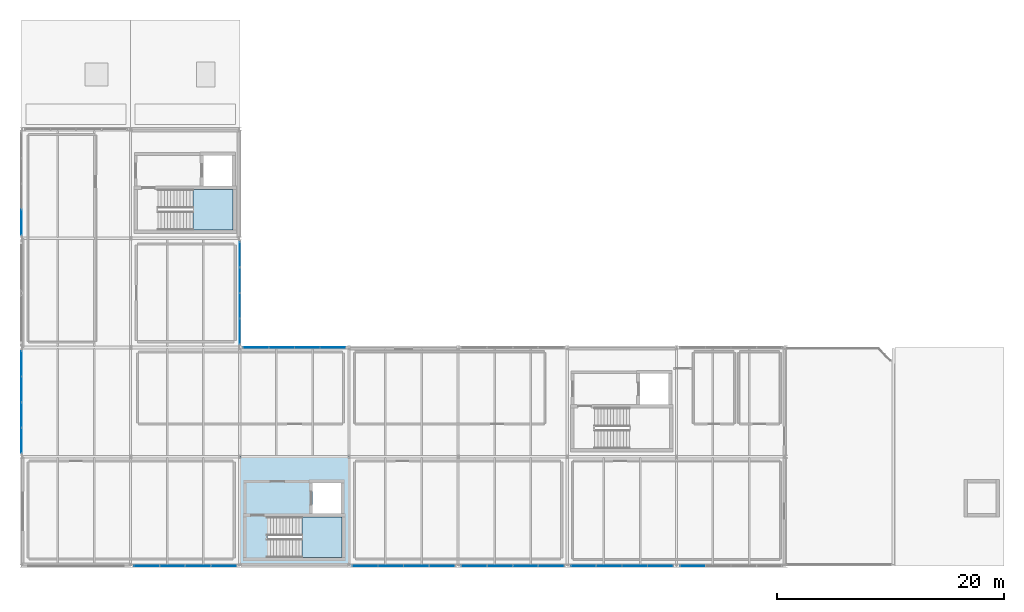
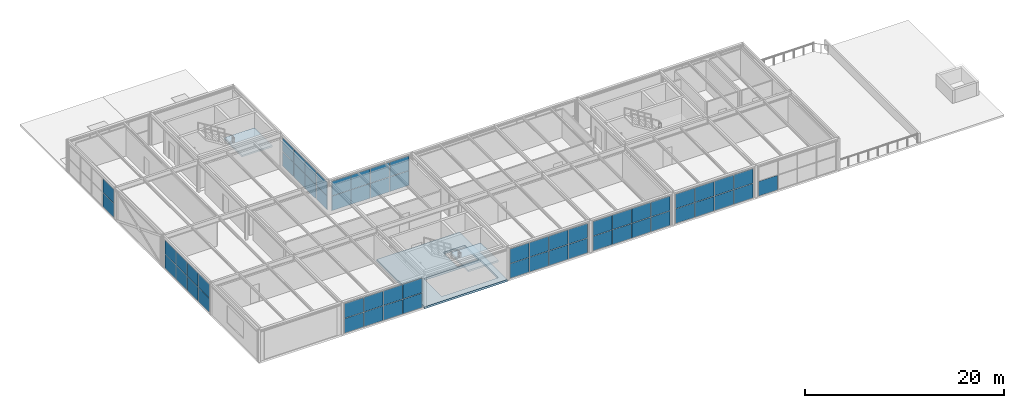
# One storey, part 32 of 39: 59 plates, 3 slabs, 11 elements without a shape of their own.
"""IFC4 building model written with IfcOpenShell, lengths in metres."""

import ifcopenshell
import ifcopenshell.guid

model = None  # the IFC model being written
_history = None  # IfcOwnerHistory: only IFC2X3 demands one
_inside = {}  # id of a spatial element -> (the spatial element, [elements in it])
_under = {}  # id of a project, library or spatial element -> (it, [spatial elements below it])
_declared = {}  # id of a project -> (the project, [libraries it declares])
_typed = {}  # id of a type object -> (the type object, [elements of that type])
_made_of = {}  # id of a material, layer set ... -> (it, [elements and type objects made of it])


def new_model(schema):
    """Start an empty IFC model of exactly this schema.

    Asked for "IFC4X3", IfcOpenShell would pick the latest addendum, in which some entities
    have other attributes; the version numbers below select the first issue.
    IFC2X3 requires an IfcOwnerHistory on every rooted entity: one is made here for all.
    """
    global model, _history
    if schema == "IFC4X3":
        model = ifcopenshell.file(schema_version=(4, 3, 0, 0))
    else:
        model = ifcopenshell.file(schema=schema)
    _inside.clear()
    _under.clear()
    _declared.clear()
    _typed.clear()
    _made_of.clear()
    _history = None
    if model.schema == "IFC2X3":
        org = make("IfcOrganization", Name="unknown")
        user = make(
            "IfcPersonAndOrganization",
            ThePerson=make("IfcPerson", FamilyName="unknown"),
            TheOrganization=org,
        )
        app = make(
            "IfcApplication",
            ApplicationDeveloper=org,
            Version="unknown",
            ApplicationFullName="unknown",
            ApplicationIdentifier="unknown",
        )
        _history = make(
            "IfcOwnerHistory",
            OwningUser=user,
            OwningApplication=app,
            ChangeAction="ADDED",
            CreationDate=0,
        )
    return model


def make(cls, **values):
    """One entity of the class cls with the attributes given. An attribute that is None is left unset."""
    return model.create_entity(
        cls, **{name: value for name, value in values.items() if value is not None}
    )


def rooted(cls, **values):
    """An entity with a GlobalId (a new one), such as an element, a storey or a relation."""
    return make(cls, GlobalId=ifcopenshell.guid.new(), OwnerHistory=_history, **values)


def si_unit(unit_type, name, prefix=None):
    """IfcSIUnit, for example si_unit("LENGTHUNIT", "METRE", prefix="MILLI")."""
    return make("IfcSIUnit", UnitType=unit_type, Prefix=prefix, Name=name)


def assignment(units):
    """IfcUnitAssignment: the units of a project."""
    return None if units is None else make("IfcUnitAssignment", Units=units)


def point(xyz):
    """IfcCartesianPoint."""
    return None if xyz is None else make("IfcCartesianPoint", Coordinates=xyz)


def direction(xyz):
    """IfcDirection."""
    return None if xyz is None else make("IfcDirection", DirectionRatios=xyz)


def frame(location, z_axis=None, x_axis=None):
    """IfcAxis2Placement3D, a coordinate frame: its origin and axes. An axis left out is left unset."""
    return make(
        "IfcAxis2Placement3D",
        Location=point(location),
        Axis=direction(z_axis),
        RefDirection=direction(x_axis),
    )


def frame_2d(location, x_axis=None):
    """IfcAxis2Placement2D, a coordinate frame in the plane: its origin and x axis."""
    return make(
        "IfcAxis2Placement2D", Location=point(location), RefDirection=direction(x_axis)
    )


def origin():
    """The frame at (0, 0, 0) with its axes left unset."""
    return frame((0.0, 0.0, 0.0))


def origin_2d():
    """The frame at (0, 0) in the plane with its x axis left unset."""
    return frame_2d((0.0, 0.0))


def place(relative_to, where):
    """IfcLocalPlacement: puts the frame where relative to a parent placement (None: the world)."""
    return make(
        "IfcLocalPlacement", PlacementRelTo=relative_to, RelativePlacement=where
    )


def context(
    kind, dimensions, precision=None, world=None, true_north=None, identifier=None
):
    """IfcGeometricRepresentationContext, for example the 3D "Model" context."""
    return make(
        "IfcGeometricRepresentationContext",
        ContextIdentifier=identifier,
        ContextType=kind,
        CoordinateSpaceDimension=dimensions,
        Precision=precision,
        WorldCoordinateSystem=world,
        TrueNorth=true_north,
    )


def subcontext(parent, identifier, kind, view, scale=None):
    """IfcGeometricRepresentationSubContext, for example "Body" below "Model"."""
    return make(
        "IfcGeometricRepresentationSubContext",
        ContextIdentifier=identifier,
        ContextType=kind,
        ParentContext=parent,
        TargetScale=scale,
        TargetView=view,
    )


def project(units=None, contexts=None):
    """IfcProject with its units and contexts."""
    return rooted(
        "IfcProject",
        Name="project",
        RepresentationContexts=contexts,
        UnitsInContext=assignment(units),
    )


def spatial(cls, under=None, at=None, **own):
    """A site, building, storey or space (cls), placed at a placement, below another one or the project."""
    s = rooted(cls, ObjectPlacement=at, **own)
    if under is not None:
        _under.setdefault(under.id(), (under, []))[1].append(s)
    return s


def polyline(points):
    """IfcPolyline through the points."""
    return make("IfcPolyline", Points=[point(p) for p in points])


def profile(cls, at=None, kind="AREA", **sizes):
    """A parametric profile (cls). Its sizes go by their IFC names, for example OverallWidth=200.0."""
    return make(cls, ProfileType=kind, Position=at, **sizes)


def rectangle(**sizes):
    """IfcRectangleProfileDef."""
    return profile("IfcRectangleProfileDef", **sizes)


def outline(outer, holes=None, kind="AREA"):
    """IfcArbitraryClosedProfileDef: a profile drawn as a closed curve; with holes, ...WithVoids."""
    if holes is None:
        return make("IfcArbitraryClosedProfileDef", ProfileType=kind, OuterCurve=outer)
    return make(
        "IfcArbitraryProfileDefWithVoids",
        ProfileType=kind,
        OuterCurve=outer,
        InnerCurves=holes,
    )


def extrude(swept, where, along, depth):
    """IfcExtrudedAreaSolid: the profile swept, set in the frame where, extruded along a direction by depth."""
    return make(
        "IfcExtrudedAreaSolid",
        SweptArea=swept,
        Position=where,
        ExtrudedDirection=direction(along),
        Depth=depth,
    )


def shape(context_of_items, identifier, shape_type, items):
    """IfcShapeRepresentation: the items that make up one representation, for example the "Body"."""
    return make(
        "IfcShapeRepresentation",
        ContextOfItems=context_of_items,
        RepresentationIdentifier=identifier,
        RepresentationType=shape_type,
        Items=items,
    )


def material(Name=None, Category=None):
    """IfcMaterial."""
    return make("IfcMaterial", Name=Name, Category=Category)


def layer(
    of_material, thickness, ventilated=None, Name=None, Category=None, Priority=None
):
    """IfcMaterialLayer: one layer of a wall or slab, of a material (None: an air gap)."""
    return make(
        "IfcMaterialLayer",
        Material=of_material,
        LayerThickness=thickness,
        IsVentilated=ventilated,
        Name=Name,
        Category=Category,
        Priority=Priority,
    )


def layer_set(layers, Name=None):
    """IfcMaterialLayerSet."""
    return make("IfcMaterialLayerSet", MaterialLayers=layers, LayerSetName=Name)


def made_of(thing, what):
    """Note that an element or type object is made of a material, layer set ...; save() writes the relation."""
    if what is not None:
        _made_of.setdefault(what.id(), (what, []))[1].append(thing)
    return thing


def type_object(cls, material=None, **own):
    """A type object (cls), such as IfcWallType, which elements share."""
    return made_of(rooted(cls, **own), material)


def element(
    cls,
    number,
    at=None,
    inside=None,
    cuts=None,
    type_object=None,
    material=None,
    context=None,
    identifier="Body",
    shape_type=None,
    held_by="IfcProductDefinitionShape",
    body=None,
    shapes=None,
    **own,
):
    """One element of the class cls, such as IfcWall. Its Tag is "e" and its number.

    at: its placement. inside: the storey or other place that contains it. cuts: it is an
    opening in that element (IfcRelVoidsElement). A single representation is given by context,
    identifier, shape_type and body (its items); several are given by shapes. held_by: the class
    of the entity that holds the representations. save() writes the other relations.
    """
    e = rooted(cls, Tag="e%d" % number, ObjectPlacement=at, **own)
    if body is not None:
        shapes = [shape(context, identifier, shape_type, body)]
    if shapes is not None:
        e.Representation = make(held_by, Representations=shapes)
    if inside is not None:
        _inside.setdefault(inside.id(), (inside, []))[1].append(e)
    if cuts is not None:
        rooted(
            "IfcRelVoidsElement", RelatingBuildingElement=cuts, RelatedOpeningElement=e
        )
    if type_object is not None:
        _typed.setdefault(type_object.id(), (type_object, []))[1].append(e)
    return made_of(e, material)


def aggregate(whole, parts):
    """IfcRelAggregates: a whole, such as a stair, and the parts it consists of."""
    return rooted("IfcRelAggregates", RelatingObject=whole, RelatedObjects=parts)


def save(model, path):
    """Write the relations noted so far, then the file.

    IfcRelAggregates (storeys below a building ...), IfcRelContainedInSpatialStructure (elements
    in a storey), IfcRelDefinesByType, IfcRelAssociatesMaterial and IfcRelDeclares: one each for
    every whole, place, type object, material and project.
    """
    for whole, parts in _under.values():
        aggregate(whole, parts)
    for where, things in _inside.values():
        rooted(
            "IfcRelContainedInSpatialStructure",
            RelatedElements=things,
            RelatingStructure=where,
        )
    for kind, things in _typed.values():
        rooted("IfcRelDefinesByType", RelatedObjects=things, RelatingType=kind)
    for what, things in _made_of.values():
        rooted("IfcRelAssociatesMaterial", RelatedObjects=things, RelatingMaterial=what)
    for by, libraries in _declared.values():
        rooted("IfcRelDeclares", RelatingContext=by, RelatedDefinitions=libraries)
    model.write(path)


model = new_model("IFC4")

# Units and contexts
model_context = context("Model", 3, precision=1e-05, world=origin(), true_north=direction((0.0, 1.0)))
body_context = subcontext(model_context, "Body", "Model", "MODEL_VIEW")
ifc_project = project(units=[si_unit("LENGTHUNIT", "METRE"), si_unit("AREAUNIT", "SQUARE_METRE"), si_unit("VOLUMEUNIT", "CUBIC_METRE"), si_unit("PLANEANGLEUNIT", "RADIAN"), si_unit("MASSUNIT", "GRAM", prefix="KILO")], contexts=[model_context])

# Site, building, storey
site_placement = place(None, origin())
site = spatial("IfcSite", under=ifc_project, at=site_placement, CompositionType="ELEMENT")
building_placement = place(site_placement, origin())
building = spatial("IfcBuilding", under=site, at=building_placement, Name="Coralgate Yard Interchange", CompositionType="ELEMENT")
storey_placement = place(building_placement, frame((0.0, 0.0, 18.89990234375)))
storey = spatial("IfcBuildingStorey", under=building, at=storey_placement, Name="L04", CompositionType="ELEMENT", Elevation=18.89990234375)

# Curtain wall, plates
ifc_material_1 = material(Name="Anodised coastal aluminium and solar-control low-E glass", Category="aluminium")
curtain_wall_type = type_object("IfcCurtainWallType", Name="CW-CW-L04-A", PredefinedType="NOTDEFINED", material=ifc_material_1)
curtain_wall_1_placement = place(storey_placement, origin())
curtain_wall_1 = element("IfcCurtainWall", 1, at=curtain_wall_1_placement, inside=storey, type_object=curtain_wall_type, Name="L04 unitised curtain wall CW-L04-W-00-01", PredefinedType="NOTDEFINED")
ifc_material_2 = material(Name="Solar-control double-glazed low-E glass unit", Category="glass")
ifc_layer_1 = layer(ifc_material_2, 0.028076171875)
ifc_layer_set_1 = layer_set([ifc_layer_1], Name="Solar-control double-glazed low-E glass unit")
plate_type = type_object("IfcPlateType", Name="PLT-CP-28", PredefinedType="CURTAIN_PANEL", material=ifc_layer_set_1)
plate_1_placement = place(storey_placement, frame((0.0, 11.02490234375, 0.02490234375), z_axis=(0.0, 0.0, 1.0), x_axis=(0.0, 1.0, 0.0)))
plate_1 = element("IfcPlate", 2, at=plate_1_placement, type_object=plate_type, Name="CW-L04-W-00-01 solar-control glazing panel 1-1", PredefinedType="CURTAIN_PANEL", context=body_context, shape_type="SweptSolid", body=[
    extrude(rectangle(XDim=2.199951171875, YDim=0.028076171875, at=origin_2d()), origin(), (0.0, 0.0, 1.0), 1.696533203125),
])
plate_2_placement = place(storey_placement, frame((0.0, 11.02490234375, 1.771484375), z_axis=(0.0, 0.0, 1.0), x_axis=(0.0, 1.0, 0.0)))
plate_2 = element("IfcPlate", 3, at=plate_2_placement, type_object=plate_type, Name="CW-L04-W-00-01 solar-control glazing panel 1-2", PredefinedType="CURTAIN_PANEL", context=body_context, shape_type="SweptSolid", body=[
    extrude(rectangle(XDim=2.199951171875, YDim=0.028076171875, at=origin_2d()), origin(), (0.0, 0.0, 1.0), 1.696533203125),
])
plate_3_placement = place(storey_placement, frame((0.0, 13.27490234375, 0.02490234375), z_axis=(0.0, 0.0, 1.0), x_axis=(0.0, 1.0, 0.0)))
plate_3 = element("IfcPlate", 4, at=plate_3_placement, type_object=plate_type, Name="CW-L04-W-00-01 solar-control glazing panel 2-1", PredefinedType="CURTAIN_PANEL", context=body_context, shape_type="SweptSolid", body=[
    extrude(rectangle(XDim=2.199951171875, YDim=0.028076171875, at=origin_2d()), origin(), (0.0, 0.0, 1.0), 1.696533203125),
])
plate_4_placement = place(storey_placement, frame((0.0, 13.27490234375, 1.771484375), z_axis=(0.0, 0.0, 1.0), x_axis=(0.0, 1.0, 0.0)))
plate_4 = element("IfcPlate", 5, at=plate_4_placement, type_object=plate_type, Name="CW-L04-W-00-01 solar-control glazing panel 2-2", PredefinedType="CURTAIN_PANEL", context=body_context, shape_type="SweptSolid", body=[
    extrude(rectangle(XDim=2.199951171875, YDim=0.028076171875, at=origin_2d()), origin(), (0.0, 0.0, 1.0), 1.696533203125),
])
plate_5_placement = place(storey_placement, frame((0.0, 15.52490234375, 0.02490234375), z_axis=(0.0, 0.0, 1.0), x_axis=(0.0, 1.0, 0.0)))
plate_5 = element("IfcPlate", 6, at=plate_5_placement, type_object=plate_type, Name="CW-L04-W-00-01 solar-control glazing panel 3-1", PredefinedType="CURTAIN_PANEL", context=body_context, shape_type="SweptSolid", body=[
    extrude(rectangle(XDim=2.199951171875, YDim=0.028076171875, at=origin_2d()), origin(), (0.0, 0.0, 1.0), 1.696533203125),
])
plate_6_placement = place(storey_placement, frame((0.0, 15.52490234375, 1.771484375), z_axis=(0.0, 0.0, 1.0), x_axis=(0.0, 1.0, 0.0)))
plate_6 = element("IfcPlate", 7, at=plate_6_placement, type_object=plate_type, Name="CW-L04-W-00-01 solar-control glazing panel 3-2", PredefinedType="CURTAIN_PANEL", context=body_context, shape_type="SweptSolid", body=[
    extrude(rectangle(XDim=2.199951171875, YDim=0.028076171875, at=origin_2d()), origin(), (0.0, 0.0, 1.0), 1.696533203125),
])
plate_7_placement = place(storey_placement, frame((0.0, 17.77490234375, 0.02490234375), z_axis=(0.0, 0.0, 1.0), x_axis=(0.0, 1.0, 0.0)))
plate_7 = element("IfcPlate", 8, at=plate_7_placement, type_object=plate_type, Name="CW-L04-W-00-01 solar-control glazing panel 4-1", PredefinedType="CURTAIN_PANEL", context=body_context, shape_type="SweptSolid", body=[
    extrude(rectangle(XDim=2.199951171875, YDim=0.028076171875, at=origin_2d()), origin(), (0.0, 0.0, 1.0), 1.696533203125),
])
plate_8_placement = place(storey_placement, frame((0.0, 17.77490234375, 1.771484375), z_axis=(0.0, 0.0, 1.0), x_axis=(0.0, 1.0, 0.0)))
plate_8 = element("IfcPlate", 9, at=plate_8_placement, type_object=plate_type, Name="CW-L04-W-00-01 solar-control glazing panel 4-2", PredefinedType="CURTAIN_PANEL", context=body_context, shape_type="SweptSolid", body=[
    extrude(rectangle(XDim=2.199951171875, YDim=0.028076171875, at=origin_2d()), origin(), (0.0, 0.0, 1.0), 1.696533203125),
])
aggregate(curtain_wall_1, [plate_1, plate_2, plate_3, plate_4, plate_5, plate_6, plate_7, plate_8])

curtain_wall_2_placement = place(storey_placement, origin())
curtain_wall_2 = element("IfcCurtainWall", 10, at=curtain_wall_2_placement, inside=storey, type_object=curtain_wall_type, Name="L04 unitised curtain wall CW-L04-W-00-03", PredefinedType="NOTDEFINED")
plate_9_placement = place(storey_placement, frame((0.0, 30.22509765625, 0.02490234375), z_axis=(0.0, 0.0, 1.0), x_axis=(0.0, 1.0, 0.0)))
plate_9 = element("IfcPlate", 11, at=plate_9_placement, type_object=plate_type, Name="CW-L04-W-00-03 solar-control glazing panel 1-1", PredefinedType="CURTAIN_PANEL", context=body_context, shape_type="SweptSolid", body=[
    extrude(rectangle(XDim=2.199951171875, YDim=0.028076171875, at=origin_2d()), origin(), (0.0, 0.0, 1.0), 1.696533203125),
])
plate_10_placement = place(storey_placement, frame((0.0, 30.22509765625, 1.771484375), z_axis=(0.0, 0.0, 1.0), x_axis=(0.0, 1.0, 0.0)))
plate_10 = element("IfcPlate", 12, at=plate_10_placement, type_object=plate_type, Name="CW-L04-W-00-03 solar-control glazing panel 1-2", PredefinedType="CURTAIN_PANEL", context=body_context, shape_type="SweptSolid", body=[
    extrude(rectangle(XDim=2.199951171875, YDim=0.028076171875, at=origin_2d()), origin(), (0.0, 0.0, 1.0), 1.696533203125),
])
aggregate(curtain_wall_2, [plate_9, plate_10])

curtain_wall_3_placement = place(storey_placement, origin())
curtain_wall_3 = element("IfcCurtainWall", 13, at=curtain_wall_3_placement, inside=storey, type_object=curtain_wall_type, Name="L04 unitised curtain wall CW-L04-S-01-00", PredefinedType="NOTDEFINED")
plate_11_placement = place(storey_placement, frame((17.77490234375, 0.0, 0.02490234375), z_axis=(0.0, 0.0, 1.0), x_axis=(-1.0, 0.0, 0.0)))
plate_11 = element("IfcPlate", 14, at=plate_11_placement, type_object=plate_type, Name="CW-L04-S-01-00 solar-control glazing panel 1-1", PredefinedType="CURTAIN_PANEL", context=body_context, shape_type="SweptSolid", body=[
    extrude(rectangle(XDim=2.199951171875, YDim=0.028076171875, at=origin_2d()), origin(), (0.0, 0.0, 1.0), 1.780029296875),
])
plate_12_placement = place(storey_placement, frame((17.77490234375, 0.0, 1.85498046875), z_axis=(0.0, 0.0, 1.0), x_axis=(-1.0, 0.0, 0.0)))
plate_12 = element("IfcPlate", 15, at=plate_12_placement, type_object=plate_type, Name="CW-L04-S-01-00 solar-control glazing panel 1-2", PredefinedType="CURTAIN_PANEL", context=body_context, shape_type="SweptSolid", body=[
    extrude(rectangle(XDim=2.199951171875, YDim=0.028076171875, at=origin_2d()), origin(), (0.0, 0.0, 1.0), 1.780029296875),
])
plate_13_placement = place(storey_placement, frame((15.52490234375, 0.0, 0.02490234375), z_axis=(0.0, 0.0, 1.0), x_axis=(-1.0, 0.0, 0.0)))
plate_13 = element("IfcPlate", 16, at=plate_13_placement, type_object=plate_type, Name="CW-L04-S-01-00 solar-control glazing panel 2-1", PredefinedType="CURTAIN_PANEL", context=body_context, shape_type="SweptSolid", body=[
    extrude(rectangle(XDim=2.199951171875, YDim=0.028076171875, at=origin_2d()), origin(), (0.0, 0.0, 1.0), 1.780029296875),
])
plate_14_placement = place(storey_placement, frame((15.52490234375, 0.0, 1.85498046875), z_axis=(0.0, 0.0, 1.0), x_axis=(-1.0, 0.0, 0.0)))
plate_14 = element("IfcPlate", 17, at=plate_14_placement, type_object=plate_type, Name="CW-L04-S-01-00 solar-control glazing panel 2-2", PredefinedType="CURTAIN_PANEL", context=body_context, shape_type="SweptSolid", body=[
    extrude(rectangle(XDim=2.199951171875, YDim=0.028076171875, at=origin_2d()), origin(), (0.0, 0.0, 1.0), 1.780029296875),
])
plate_15_placement = place(storey_placement, frame((13.27490234375, 0.0, 0.02490234375), z_axis=(0.0, 0.0, 1.0), x_axis=(-1.0, 0.0, 0.0)))
plate_15 = element("IfcPlate", 18, at=plate_15_placement, type_object=plate_type, Name="CW-L04-S-01-00 solar-control glazing panel 3-1", PredefinedType="CURTAIN_PANEL", context=body_context, shape_type="SweptSolid", body=[
    extrude(rectangle(XDim=2.199951171875, YDim=0.028076171875, at=origin_2d()), origin(), (0.0, 0.0, 1.0), 1.780029296875),
])
plate_16_placement = place(storey_placement, frame((13.27490234375, 0.0, 1.85498046875), z_axis=(0.0, 0.0, 1.0), x_axis=(-1.0, 0.0, 0.0)))
plate_16 = element("IfcPlate", 19, at=plate_16_placement, type_object=plate_type, Name="CW-L04-S-01-00 solar-control glazing panel 3-2", PredefinedType="CURTAIN_PANEL", context=body_context, shape_type="SweptSolid", body=[
    extrude(rectangle(XDim=2.199951171875, YDim=0.028076171875, at=origin_2d()), origin(), (0.0, 0.0, 1.0), 1.780029296875),
])
plate_17_placement = place(storey_placement, frame((11.02490234375, 0.0, 0.02490234375), z_axis=(0.0, 0.0, 1.0), x_axis=(-1.0, 0.0, 0.0)))
plate_17 = element("IfcPlate", 20, at=plate_17_placement, type_object=plate_type, Name="CW-L04-S-01-00 solar-control glazing panel 4-1", PredefinedType="CURTAIN_PANEL", context=body_context, shape_type="SweptSolid", body=[
    extrude(rectangle(XDim=2.199951171875, YDim=0.028076171875, at=origin_2d()), origin(), (0.0, 0.0, 1.0), 1.780029296875),
])
plate_18_placement = place(storey_placement, frame((11.02490234375, 0.0, 1.85498046875), z_axis=(0.0, 0.0, 1.0), x_axis=(-1.0, 0.0, 0.0)))
plate_18 = element("IfcPlate", 21, at=plate_18_placement, type_object=plate_type, Name="CW-L04-S-01-00 solar-control glazing panel 4-2", PredefinedType="CURTAIN_PANEL", context=body_context, shape_type="SweptSolid", body=[
    extrude(rectangle(XDim=2.199951171875, YDim=0.028076171875, at=origin_2d()), origin(), (0.0, 0.0, 1.0), 1.780029296875),
])
aggregate(curtain_wall_3, [plate_11, plate_12, plate_13, plate_14, plate_15, plate_16, plate_17, plate_18])

curtain_wall_4_placement = place(storey_placement, origin())
curtain_wall_4 = element("IfcCurtainWall", 22, at=curtain_wall_4_placement, inside=storey, type_object=curtain_wall_type, Name="L04 unitised curtain wall CW-L04-E-01-02", PredefinedType="NOTDEFINED")
plate_19_placement = place(storey_placement, frame((19.199951171875, 27.375, 0.02490234375), z_axis=(0.0, 0.0, 1.0), x_axis=(0.0, -1.0, 0.0)))
plate_19 = element("IfcPlate", 23, at=plate_19_placement, type_object=plate_type, Name="CW-L04-E-01-02 solar-control glazing panel 1-1", PredefinedType="CURTAIN_PANEL", context=body_context, shape_type="SweptSolid", body=[
    extrude(rectangle(XDim=2.199951171875, YDim=0.028076171875, at=origin_2d()), origin(), (0.0, 0.0, 1.0), 1.696533203125),
])
plate_20_placement = place(storey_placement, frame((19.199951171875, 27.375, 1.771484375), z_axis=(0.0, 0.0, 1.0), x_axis=(0.0, -1.0, 0.0)))
plate_20 = element("IfcPlate", 24, at=plate_20_placement, type_object=plate_type, Name="CW-L04-E-01-02 solar-control glazing panel 1-2", PredefinedType="CURTAIN_PANEL", context=body_context, shape_type="SweptSolid", body=[
    extrude(rectangle(XDim=2.199951171875, YDim=0.028076171875, at=origin_2d()), origin(), (0.0, 0.0, 1.0), 1.696533203125),
])
plate_21_placement = place(storey_placement, frame((19.199951171875, 25.125, 0.02490234375), z_axis=(0.0, 0.0, 1.0), x_axis=(0.0, -1.0, 0.0)))
plate_21 = element("IfcPlate", 25, at=plate_21_placement, type_object=plate_type, Name="CW-L04-E-01-02 solar-control glazing panel 2-1", PredefinedType="CURTAIN_PANEL", context=body_context, shape_type="SweptSolid", body=[
    extrude(rectangle(XDim=2.199951171875, YDim=0.028076171875, at=origin_2d()), origin(), (0.0, 0.0, 1.0), 1.696533203125),
])
plate_22_placement = place(storey_placement, frame((19.199951171875, 25.125, 1.771484375), z_axis=(0.0, 0.0, 1.0), x_axis=(0.0, -1.0, 0.0)))
plate_22 = element("IfcPlate", 26, at=plate_22_placement, type_object=plate_type, Name="CW-L04-E-01-02 solar-control glazing panel 2-2", PredefinedType="CURTAIN_PANEL", context=body_context, shape_type="SweptSolid", body=[
    extrude(rectangle(XDim=2.199951171875, YDim=0.028076171875, at=origin_2d()), origin(), (0.0, 0.0, 1.0), 1.696533203125),
])
plate_23_placement = place(storey_placement, frame((19.199951171875, 22.875, 0.02490234375), z_axis=(0.0, 0.0, 1.0), x_axis=(0.0, -1.0, 0.0)))
plate_23 = element("IfcPlate", 27, at=plate_23_placement, type_object=plate_type, Name="CW-L04-E-01-02 solar-control glazing panel 3-1", PredefinedType="CURTAIN_PANEL", context=body_context, shape_type="SweptSolid", body=[
    extrude(rectangle(XDim=2.199951171875, YDim=0.028076171875, at=origin_2d()), origin(), (0.0, 0.0, 1.0), 1.696533203125),
])
plate_24_placement = place(storey_placement, frame((19.199951171875, 22.875, 1.771484375), z_axis=(0.0, 0.0, 1.0), x_axis=(0.0, -1.0, 0.0)))
plate_24 = element("IfcPlate", 28, at=plate_24_placement, type_object=plate_type, Name="CW-L04-E-01-02 solar-control glazing panel 3-2", PredefinedType="CURTAIN_PANEL", context=body_context, shape_type="SweptSolid", body=[
    extrude(rectangle(XDim=2.199951171875, YDim=0.028076171875, at=origin_2d()), origin(), (0.0, 0.0, 1.0), 1.696533203125),
])
plate_25_placement = place(storey_placement, frame((19.199951171875, 20.625, 0.02490234375), z_axis=(0.0, 0.0, 1.0), x_axis=(0.0, -1.0, 0.0)))
plate_25 = element("IfcPlate", 29, at=plate_25_placement, type_object=plate_type, Name="CW-L04-E-01-02 solar-control glazing panel 4-1", PredefinedType="CURTAIN_PANEL", context=body_context, shape_type="SweptSolid", body=[
    extrude(rectangle(XDim=2.199951171875, YDim=0.028076171875, at=origin_2d()), origin(), (0.0, 0.0, 1.0), 1.696533203125),
])
plate_26_placement = place(storey_placement, frame((19.199951171875, 20.625, 1.771484375), z_axis=(0.0, 0.0, 1.0), x_axis=(0.0, -1.0, 0.0)))
plate_26 = element("IfcPlate", 30, at=plate_26_placement, type_object=plate_type, Name="CW-L04-E-01-02 solar-control glazing panel 4-2", PredefinedType="CURTAIN_PANEL", context=body_context, shape_type="SweptSolid", body=[
    extrude(rectangle(XDim=2.199951171875, YDim=0.028076171875, at=origin_2d()), origin(), (0.0, 0.0, 1.0), 1.696533203125),
])
aggregate(curtain_wall_4, [plate_19, plate_20, plate_21, plate_22, plate_23, plate_24, plate_25, plate_26])

curtain_wall_5_placement = place(storey_placement, origin())
curtain_wall_5 = element("IfcCurtainWall", 31, at=curtain_wall_5_placement, inside=storey, type_object=curtain_wall_type, Name="L04 unitised curtain wall CW-L04-N-02-01", PredefinedType="NOTDEFINED")
plate_27_placement = place(storey_placement, frame((20.625, 19.199951171875, 0.02490234375), z_axis=(0.0, 0.0, 1.0), x_axis=(1.0, 0.0, 0.0)))
plate_27 = element("IfcPlate", 32, at=plate_27_placement, type_object=plate_type, Name="CW-L04-N-02-01 solar-control glazing panel 1-1", PredefinedType="CURTAIN_PANEL", context=body_context, shape_type="SweptSolid", body=[
    extrude(rectangle(XDim=2.199951171875, YDim=0.028076171875, at=origin_2d()), origin(), (0.0, 0.0, 1.0), 1.780029296875),
])
plate_28_placement = place(storey_placement, frame((20.625, 19.199951171875, 1.85498046875), z_axis=(0.0, 0.0, 1.0), x_axis=(1.0, 0.0, 0.0)))
plate_28 = element("IfcPlate", 33, at=plate_28_placement, type_object=plate_type, Name="CW-L04-N-02-01 solar-control glazing panel 1-2", PredefinedType="CURTAIN_PANEL", context=body_context, shape_type="SweptSolid", body=[
    extrude(rectangle(XDim=2.199951171875, YDim=0.028076171875, at=origin_2d()), origin(), (0.0, 0.0, 1.0), 1.780029296875),
])
plate_29_placement = place(storey_placement, frame((22.875, 19.199951171875, 0.02490234375), z_axis=(0.0, 0.0, 1.0), x_axis=(1.0, 0.0, 0.0)))
plate_29 = element("IfcPlate", 34, at=plate_29_placement, type_object=plate_type, Name="CW-L04-N-02-01 solar-control glazing panel 2-1", PredefinedType="CURTAIN_PANEL", context=body_context, shape_type="SweptSolid", body=[
    extrude(rectangle(XDim=2.199951171875, YDim=0.028076171875, at=origin_2d()), origin(), (0.0, 0.0, 1.0), 1.780029296875),
])
plate_30_placement = place(storey_placement, frame((22.875, 19.199951171875, 1.85498046875), z_axis=(0.0, 0.0, 1.0), x_axis=(1.0, 0.0, 0.0)))
plate_30 = element("IfcPlate", 35, at=plate_30_placement, type_object=plate_type, Name="CW-L04-N-02-01 solar-control glazing panel 2-2", PredefinedType="CURTAIN_PANEL", context=body_context, shape_type="SweptSolid", body=[
    extrude(rectangle(XDim=2.199951171875, YDim=0.028076171875, at=origin_2d()), origin(), (0.0, 0.0, 1.0), 1.780029296875),
])
plate_31_placement = place(storey_placement, frame((25.125, 19.199951171875, 0.02490234375), z_axis=(0.0, 0.0, 1.0), x_axis=(1.0, 0.0, 0.0)))
plate_31 = element("IfcPlate", 36, at=plate_31_placement, type_object=plate_type, Name="CW-L04-N-02-01 solar-control glazing panel 3-1", PredefinedType="CURTAIN_PANEL", context=body_context, shape_type="SweptSolid", body=[
    extrude(rectangle(XDim=2.199951171875, YDim=0.028076171875, at=origin_2d()), origin(), (0.0, 0.0, 1.0), 1.780029296875),
])
plate_32_placement = place(storey_placement, frame((25.125, 19.199951171875, 1.85498046875), z_axis=(0.0, 0.0, 1.0), x_axis=(1.0, 0.0, 0.0)))
plate_32 = element("IfcPlate", 37, at=plate_32_placement, type_object=plate_type, Name="CW-L04-N-02-01 solar-control glazing panel 3-2", PredefinedType="CURTAIN_PANEL", context=body_context, shape_type="SweptSolid", body=[
    extrude(rectangle(XDim=2.199951171875, YDim=0.028076171875, at=origin_2d()), origin(), (0.0, 0.0, 1.0), 1.780029296875),
])
plate_33_placement = place(storey_placement, frame((27.375, 19.199951171875, 0.02490234375), z_axis=(0.0, 0.0, 1.0), x_axis=(1.0, 0.0, 0.0)))
plate_33 = element("IfcPlate", 38, at=plate_33_placement, type_object=plate_type, Name="CW-L04-N-02-01 solar-control glazing panel 4-1", PredefinedType="CURTAIN_PANEL", context=body_context, shape_type="SweptSolid", body=[
    extrude(rectangle(XDim=2.199951171875, YDim=0.028076171875, at=origin_2d()), origin(), (0.0, 0.0, 1.0), 1.780029296875),
])
plate_34_placement = place(storey_placement, frame((27.375, 19.199951171875, 1.85498046875), z_axis=(0.0, 0.0, 1.0), x_axis=(1.0, 0.0, 0.0)))
plate_34 = element("IfcPlate", 39, at=plate_34_placement, type_object=plate_type, Name="CW-L04-N-02-01 solar-control glazing panel 4-2", PredefinedType="CURTAIN_PANEL", context=body_context, shape_type="SweptSolid", body=[
    extrude(rectangle(XDim=2.199951171875, YDim=0.028076171875, at=origin_2d()), origin(), (0.0, 0.0, 1.0), 1.780029296875),
])
aggregate(curtain_wall_5, [plate_27, plate_28, plate_29, plate_30, plate_31, plate_32, plate_33, plate_34])

curtain_wall_6_placement = place(storey_placement, origin())
curtain_wall_6 = element("IfcCurtainWall", 40, at=curtain_wall_6_placement, inside=storey, type_object=curtain_wall_type, Name="L04 unitised curtain wall CW-L04-S-03-00", PredefinedType="NOTDEFINED")
plate_35_placement = place(storey_placement, frame((36.97509765625, 0.0, 0.02490234375), z_axis=(0.0, 0.0, 1.0), x_axis=(-1.0, 0.0, 0.0)))
plate_35 = element("IfcPlate", 41, at=plate_35_placement, type_object=plate_type, Name="CW-L04-S-03-00 solar-control glazing panel 1-1", PredefinedType="CURTAIN_PANEL", context=body_context, shape_type="SweptSolid", body=[
    extrude(rectangle(XDim=2.199951171875, YDim=0.028076171875, at=origin_2d()), origin(), (0.0, 0.0, 1.0), 1.780029296875),
])
plate_36_placement = place(storey_placement, frame((36.97509765625, 0.0, 1.85498046875), z_axis=(0.0, 0.0, 1.0), x_axis=(-1.0, 0.0, 0.0)))
plate_36 = element("IfcPlate", 42, at=plate_36_placement, type_object=plate_type, Name="CW-L04-S-03-00 solar-control glazing panel 1-2", PredefinedType="CURTAIN_PANEL", context=body_context, shape_type="SweptSolid", body=[
    extrude(rectangle(XDim=2.199951171875, YDim=0.028076171875, at=origin_2d()), origin(), (0.0, 0.0, 1.0), 1.780029296875),
])
plate_37_placement = place(storey_placement, frame((34.72509765625, 0.0, 0.02490234375), z_axis=(0.0, 0.0, 1.0), x_axis=(-1.0, 0.0, 0.0)))
plate_37 = element("IfcPlate", 43, at=plate_37_placement, type_object=plate_type, Name="CW-L04-S-03-00 solar-control glazing panel 2-1", PredefinedType="CURTAIN_PANEL", context=body_context, shape_type="SweptSolid", body=[
    extrude(rectangle(XDim=2.199951171875, YDim=0.028076171875, at=origin_2d()), origin(), (0.0, 0.0, 1.0), 1.780029296875),
])
plate_38_placement = place(storey_placement, frame((34.72509765625, 0.0, 1.85498046875), z_axis=(0.0, 0.0, 1.0), x_axis=(-1.0, 0.0, 0.0)))
plate_38 = element("IfcPlate", 44, at=plate_38_placement, type_object=plate_type, Name="CW-L04-S-03-00 solar-control glazing panel 2-2", PredefinedType="CURTAIN_PANEL", context=body_context, shape_type="SweptSolid", body=[
    extrude(rectangle(XDim=2.199951171875, YDim=0.028076171875, at=origin_2d()), origin(), (0.0, 0.0, 1.0), 1.780029296875),
])
plate_39_placement = place(storey_placement, frame((32.47509765625, 0.0, 0.02490234375), z_axis=(0.0, 0.0, 1.0), x_axis=(-1.0, 0.0, 0.0)))
plate_39 = element("IfcPlate", 45, at=plate_39_placement, type_object=plate_type, Name="CW-L04-S-03-00 solar-control glazing panel 3-1", PredefinedType="CURTAIN_PANEL", context=body_context, shape_type="SweptSolid", body=[
    extrude(rectangle(XDim=2.199951171875, YDim=0.028076171875, at=origin_2d()), origin(), (0.0, 0.0, 1.0), 1.780029296875),
])
plate_40_placement = place(storey_placement, frame((32.47509765625, 0.0, 1.85498046875), z_axis=(0.0, 0.0, 1.0), x_axis=(-1.0, 0.0, 0.0)))
plate_40 = element("IfcPlate", 46, at=plate_40_placement, type_object=plate_type, Name="CW-L04-S-03-00 solar-control glazing panel 3-2", PredefinedType="CURTAIN_PANEL", context=body_context, shape_type="SweptSolid", body=[
    extrude(rectangle(XDim=2.199951171875, YDim=0.028076171875, at=origin_2d()), origin(), (0.0, 0.0, 1.0), 1.780029296875),
])
plate_41_placement = place(storey_placement, frame((30.22509765625, 0.0, 0.02490234375), z_axis=(0.0, 0.0, 1.0), x_axis=(-1.0, 0.0, 0.0)))
plate_41 = element("IfcPlate", 47, at=plate_41_placement, type_object=plate_type, Name="CW-L04-S-03-00 solar-control glazing panel 4-1", PredefinedType="CURTAIN_PANEL", context=body_context, shape_type="SweptSolid", body=[
    extrude(rectangle(XDim=2.199951171875, YDim=0.028076171875, at=origin_2d()), origin(), (0.0, 0.0, 1.0), 1.780029296875),
])
plate_42_placement = place(storey_placement, frame((30.22509765625, 0.0, 1.85498046875), z_axis=(0.0, 0.0, 1.0), x_axis=(-1.0, 0.0, 0.0)))
plate_42 = element("IfcPlate", 48, at=plate_42_placement, type_object=plate_type, Name="CW-L04-S-03-00 solar-control glazing panel 4-2", PredefinedType="CURTAIN_PANEL", context=body_context, shape_type="SweptSolid", body=[
    extrude(rectangle(XDim=2.199951171875, YDim=0.028076171875, at=origin_2d()), origin(), (0.0, 0.0, 1.0), 1.780029296875),
])
aggregate(curtain_wall_6, [plate_35, plate_36, plate_37, plate_38, plate_39, plate_40, plate_41, plate_42])

curtain_wall_7_placement = place(storey_placement, origin())
curtain_wall_7 = element("IfcCurtainWall", 49, at=curtain_wall_7_placement, inside=storey, type_object=curtain_wall_type, Name="L04 unitised curtain wall CW-L04-S-04-00", PredefinedType="NOTDEFINED")
plate_43_placement = place(storey_placement, frame((46.574951171875, 0.0, 0.02490234375), z_axis=(0.0, 0.0, 1.0), x_axis=(-1.0, 0.0, 0.0)))
plate_43 = element("IfcPlate", 50, at=plate_43_placement, type_object=plate_type, Name="CW-L04-S-04-00 solar-control glazing panel 1-1", PredefinedType="CURTAIN_PANEL", context=body_context, shape_type="SweptSolid", body=[
    extrude(rectangle(XDim=2.199951171875, YDim=0.028076171875, at=origin_2d()), origin(), (0.0, 0.0, 1.0), 1.780029296875),
])
plate_44_placement = place(storey_placement, frame((46.574951171875, 0.0, 1.85498046875), z_axis=(0.0, 0.0, 1.0), x_axis=(-1.0, 0.0, 0.0)))
plate_44 = element("IfcPlate", 51, at=plate_44_placement, type_object=plate_type, Name="CW-L04-S-04-00 solar-control glazing panel 1-2", PredefinedType="CURTAIN_PANEL", context=body_context, shape_type="SweptSolid", body=[
    extrude(rectangle(XDim=2.199951171875, YDim=0.028076171875, at=origin_2d()), origin(), (0.0, 0.0, 1.0), 1.780029296875),
])
plate_45_placement = place(storey_placement, frame((44.324951171875, 0.0, 0.02490234375), z_axis=(0.0, 0.0, 1.0), x_axis=(-1.0, 0.0, 0.0)))
plate_45 = element("IfcPlate", 52, at=plate_45_placement, type_object=plate_type, Name="CW-L04-S-04-00 solar-control glazing panel 2-1", PredefinedType="CURTAIN_PANEL", context=body_context, shape_type="SweptSolid", body=[
    extrude(rectangle(XDim=2.199951171875, YDim=0.028076171875, at=origin_2d()), origin(), (0.0, 0.0, 1.0), 1.780029296875),
])
plate_46_placement = place(storey_placement, frame((44.324951171875, 0.0, 1.85498046875), z_axis=(0.0, 0.0, 1.0), x_axis=(-1.0, 0.0, 0.0)))
plate_46 = element("IfcPlate", 53, at=plate_46_placement, type_object=plate_type, Name="CW-L04-S-04-00 solar-control glazing panel 2-2", PredefinedType="CURTAIN_PANEL", context=body_context, shape_type="SweptSolid", body=[
    extrude(rectangle(XDim=2.199951171875, YDim=0.028076171875, at=origin_2d()), origin(), (0.0, 0.0, 1.0), 1.780029296875),
])
plate_47_placement = place(storey_placement, frame((42.074951171875, 0.0, 0.02490234375), z_axis=(0.0, 0.0, 1.0), x_axis=(-1.0, 0.0, 0.0)))
plate_47 = element("IfcPlate", 54, at=plate_47_placement, type_object=plate_type, Name="CW-L04-S-04-00 solar-control glazing panel 3-1", PredefinedType="CURTAIN_PANEL", context=body_context, shape_type="SweptSolid", body=[
    extrude(rectangle(XDim=2.199951171875, YDim=0.028076171875, at=origin_2d()), origin(), (0.0, 0.0, 1.0), 1.780029296875),
])
plate_48_placement = place(storey_placement, frame((42.074951171875, 0.0, 1.85498046875), z_axis=(0.0, 0.0, 1.0), x_axis=(-1.0, 0.0, 0.0)))
plate_48 = element("IfcPlate", 55, at=plate_48_placement, type_object=plate_type, Name="CW-L04-S-04-00 solar-control glazing panel 3-2", PredefinedType="CURTAIN_PANEL", context=body_context, shape_type="SweptSolid", body=[
    extrude(rectangle(XDim=2.199951171875, YDim=0.028076171875, at=origin_2d()), origin(), (0.0, 0.0, 1.0), 1.780029296875),
])
plate_49_placement = place(storey_placement, frame((39.824951171875, 0.0, 0.02490234375), z_axis=(0.0, 0.0, 1.0), x_axis=(-1.0, 0.0, 0.0)))
plate_49 = element("IfcPlate", 56, at=plate_49_placement, type_object=plate_type, Name="CW-L04-S-04-00 solar-control glazing panel 4-1", PredefinedType="CURTAIN_PANEL", context=body_context, shape_type="SweptSolid", body=[
    extrude(rectangle(XDim=2.199951171875, YDim=0.028076171875, at=origin_2d()), origin(), (0.0, 0.0, 1.0), 1.780029296875),
])
plate_50_placement = place(storey_placement, frame((39.824951171875, 0.0, 1.85498046875), z_axis=(0.0, 0.0, 1.0), x_axis=(-1.0, 0.0, 0.0)))
plate_50 = element("IfcPlate", 57, at=plate_50_placement, type_object=plate_type, Name="CW-L04-S-04-00 solar-control glazing panel 4-2", PredefinedType="CURTAIN_PANEL", context=body_context, shape_type="SweptSolid", body=[
    extrude(rectangle(XDim=2.199951171875, YDim=0.028076171875, at=origin_2d()), origin(), (0.0, 0.0, 1.0), 1.780029296875),
])
aggregate(curtain_wall_7, [plate_43, plate_44, plate_45, plate_46, plate_47, plate_48, plate_49, plate_50])

curtain_wall_8_placement = place(storey_placement, origin())
curtain_wall_8 = element("IfcCurtainWall", 58, at=curtain_wall_8_placement, inside=storey, type_object=curtain_wall_type, Name="L04 unitised curtain wall CW-L04-S-05-00", PredefinedType="NOTDEFINED")
plate_51_placement = place(storey_placement, frame((56.175048828125, 0.0, 0.02490234375), z_axis=(0.0, 0.0, 1.0), x_axis=(-1.0, 0.0, 0.0)))
plate_51 = element("IfcPlate", 59, at=plate_51_placement, type_object=plate_type, Name="CW-L04-S-05-00 solar-control glazing panel 1-1", PredefinedType="CURTAIN_PANEL", context=body_context, shape_type="SweptSolid", body=[
    extrude(rectangle(XDim=2.199951171875, YDim=0.028076171875, at=origin_2d()), origin(), (0.0, 0.0, 1.0), 1.780029296875),
])
plate_52_placement = place(storey_placement, frame((56.175048828125, 0.0, 1.85498046875), z_axis=(0.0, 0.0, 1.0), x_axis=(-1.0, 0.0, 0.0)))
plate_52 = element("IfcPlate", 60, at=plate_52_placement, type_object=plate_type, Name="CW-L04-S-05-00 solar-control glazing panel 1-2", PredefinedType="CURTAIN_PANEL", context=body_context, shape_type="SweptSolid", body=[
    extrude(rectangle(XDim=2.199951171875, YDim=0.028076171875, at=origin_2d()), origin(), (0.0, 0.0, 1.0), 1.780029296875),
])
plate_53_placement = place(storey_placement, frame((53.925048828125, 0.0, 0.02490234375), z_axis=(0.0, 0.0, 1.0), x_axis=(-1.0, 0.0, 0.0)))
plate_53 = element("IfcPlate", 61, at=plate_53_placement, type_object=plate_type, Name="CW-L04-S-05-00 solar-control glazing panel 2-1", PredefinedType="CURTAIN_PANEL", context=body_context, shape_type="SweptSolid", body=[
    extrude(rectangle(XDim=2.199951171875, YDim=0.028076171875, at=origin_2d()), origin(), (0.0, 0.0, 1.0), 1.780029296875),
])
plate_54_placement = place(storey_placement, frame((53.925048828125, 0.0, 1.85498046875), z_axis=(0.0, 0.0, 1.0), x_axis=(-1.0, 0.0, 0.0)))
plate_54 = element("IfcPlate", 62, at=plate_54_placement, type_object=plate_type, Name="CW-L04-S-05-00 solar-control glazing panel 2-2", PredefinedType="CURTAIN_PANEL", context=body_context, shape_type="SweptSolid", body=[
    extrude(rectangle(XDim=2.199951171875, YDim=0.028076171875, at=origin_2d()), origin(), (0.0, 0.0, 1.0), 1.780029296875),
])
plate_55_placement = place(storey_placement, frame((51.675048828125, 0.0, 0.02490234375), z_axis=(0.0, 0.0, 1.0), x_axis=(-1.0, 0.0, 0.0)))
plate_55 = element("IfcPlate", 63, at=plate_55_placement, type_object=plate_type, Name="CW-L04-S-05-00 solar-control glazing panel 3-1", PredefinedType="CURTAIN_PANEL", context=body_context, shape_type="SweptSolid", body=[
    extrude(rectangle(XDim=2.199951171875, YDim=0.028076171875, at=origin_2d()), origin(), (0.0, 0.0, 1.0), 1.780029296875),
])
plate_56_placement = place(storey_placement, frame((51.675048828125, 0.0, 1.85498046875), z_axis=(0.0, 0.0, 1.0), x_axis=(-1.0, 0.0, 0.0)))
plate_56 = element("IfcPlate", 64, at=plate_56_placement, type_object=plate_type, Name="CW-L04-S-05-00 solar-control glazing panel 3-2", PredefinedType="CURTAIN_PANEL", context=body_context, shape_type="SweptSolid", body=[
    extrude(rectangle(XDim=2.199951171875, YDim=0.028076171875, at=origin_2d()), origin(), (0.0, 0.0, 1.0), 1.780029296875),
])
plate_57_placement = place(storey_placement, frame((49.425048828125, 0.0, 0.02490234375), z_axis=(0.0, 0.0, 1.0), x_axis=(-1.0, 0.0, 0.0)))
plate_57 = element("IfcPlate", 65, at=plate_57_placement, type_object=plate_type, Name="CW-L04-S-05-00 solar-control glazing panel 4-1", PredefinedType="CURTAIN_PANEL", context=body_context, shape_type="SweptSolid", body=[
    extrude(rectangle(XDim=2.199951171875, YDim=0.028076171875, at=origin_2d()), origin(), (0.0, 0.0, 1.0), 1.780029296875),
])
plate_58_placement = place(storey_placement, frame((49.425048828125, 0.0, 1.85498046875), z_axis=(0.0, 0.0, 1.0), x_axis=(-1.0, 0.0, 0.0)))
plate_58 = element("IfcPlate", 66, at=plate_58_placement, type_object=plate_type, Name="CW-L04-S-05-00 solar-control glazing panel 4-2", PredefinedType="CURTAIN_PANEL", context=body_context, shape_type="SweptSolid", body=[
    extrude(rectangle(XDim=2.199951171875, YDim=0.028076171875, at=origin_2d()), origin(), (0.0, 0.0, 1.0), 1.780029296875),
])
aggregate(curtain_wall_8, [plate_51, plate_52, plate_53, plate_54, plate_55, plate_56, plate_57, plate_58])

# Curtain wall, plate
curtain_wall_9_placement = place(storey_placement, origin())
curtain_wall_9 = element("IfcCurtainWall", 67, at=curtain_wall_9_placement, inside=storey, type_object=curtain_wall_type, Name="L04 unitised curtain wall CW-L04-S-06-00", PredefinedType="NOTDEFINED")
plate_59_placement = place(storey_placement, frame((59.02490234375, 0.0, 0.02490234375), z_axis=(0.0, 0.0, 1.0), x_axis=(-1.0, 0.0, 0.0)))
plate_59 = element("IfcPlate", 68, at=plate_59_placement, type_object=plate_type, Name="CW-L04-S-06-00 solar-control glazing panel 4-1", PredefinedType="CURTAIN_PANEL", context=body_context, shape_type="SweptSolid", body=[
    extrude(rectangle(XDim=2.199951171875, YDim=0.028076171875, at=origin_2d()), origin(), (0.0, 0.0, 1.0), 1.780029296875),
])
aggregate(curtain_wall_9, [plate_59])

# Stair, slab
ifc_material_3 = material(Name="Concrete C40/50", Category="concrete")
stair_type = type_object("IfcStairType", Name="STR-DL-165-42", PredefinedType="HALF_TURN_STAIR", material=ifc_material_3)
stair_1_placement = place(storey_placement, origin())
stair_1 = element("IfcStair", 69, at=stair_1_placement, inside=storey, type_object=stair_type, Name="L04 Escape stair ST-01", PredefinedType="HALF_TURN_STAIR")
ifc_layer_2 = layer(ifc_material_3, 0.199951171875)
ifc_layer_set_2 = layer_set([ifc_layer_2], Name="Concrete C40/50")
slab_type_1 = type_object("IfcSlabType", Name="SLB-LND200", PredefinedType="LANDING", material=ifc_layer_set_2)
slab_1_placement = place(storey_placement, frame((0.0, 0.0, 1.900146484375)))
slab_1 = element("IfcSlab", 70, at=slab_1_placement, type_object=slab_type_1, Name="ST-01 landing 1", PredefinedType="LANDING", context=body_context, shape_type="SweptSolid", body=[
    extrude(outline(polyline([(15.080078125, 29.52001953125), (18.60009765625, 29.52001953125), (18.60009765625, 33.110107421875), (15.080078125, 33.110107421875), (15.080078125, 29.52001953125)])), origin(), (0.0, 0.0, 1.0), 0.199951171875),
])
aggregate(stair_1, [slab_1])

stair_2_placement = place(storey_placement, origin())
stair_2 = element("IfcStair", 71, at=stair_2_placement, inside=storey, type_object=stair_type, Name="L04 Escape stair ST-03", PredefinedType="HALF_TURN_STAIR")
slab_2_placement = place(storey_placement, frame((0.0, 0.0, 1.900146484375)))
slab_2 = element("IfcSlab", 72, at=slab_2_placement, type_object=slab_type_1, Name="ST-03 landing 1", PredefinedType="LANDING", context=body_context, shape_type="SweptSolid", body=[
    extrude(outline(polyline([(24.679931640625, 0.719970703125), (28.199951171875, 0.719970703125), (28.199951171875, 4.31005859375), (24.679931640625, 4.31005859375), (24.679931640625, 0.719970703125)])), origin(), (0.0, 0.0, 1.0), 0.199951171875),
])
aggregate(stair_2, [slab_2])

# Slab
ifc_layer_3 = layer(ifc_material_3, 0.25)
ifc_layer_set_3 = layer_set([ifc_layer_3], Name="Concrete C40/50")
slab_type_2 = type_object("IfcSlabType", Name="SLB-SL-FLR250", PredefinedType="FLOOR", material=ifc_layer_set_3)
slab_3_placement = place(storey_placement, frame((0.0, 0.0, -0.25)))
element("IfcSlab", 73, at=slab_3_placement, inside=storey, type_object=slab_type_2, Name="L04 core C3 structural floor slab", PredefinedType="FLOOR", context=body_context, shape_type="SweptSolid", body=[
    extrude(outline(polyline([(28.800048828125, 9.60009765625), (28.800048828125, 0.0), (19.199951171875, 0.0), (19.199951171875, 9.60009765625), (28.800048828125, 9.60009765625)]), holes=[polyline([(28.199951171875, 4.31005859375), (21.6201171875, 4.31005859375), (21.6201171875, 0.719970703125), (28.199951171875, 0.719970703125), (28.199951171875, 4.31005859375)]), polyline([(28.10009765625, 4.449951171875), (28.10009765625, 7.300048828125), (25.60009765625, 7.300048828125), (25.60009765625, 4.449951171875), (28.10009765625, 4.449951171875)])]), origin(), (0.0, 0.0, 1.0), 0.25),
])

save(model, "model.ifc")
